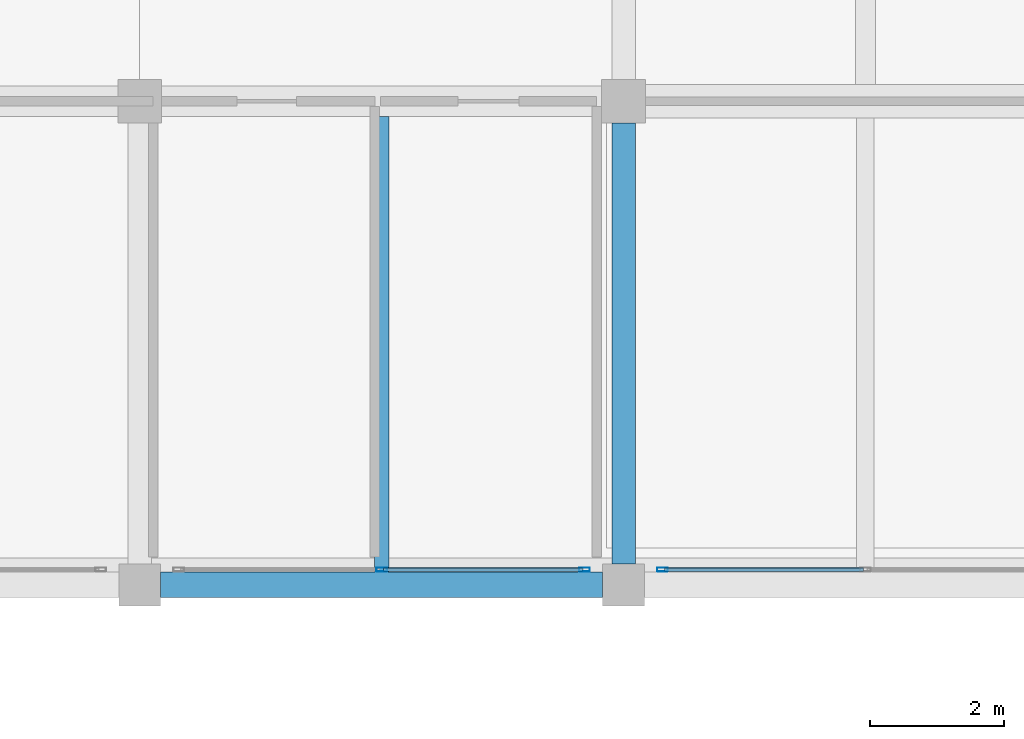
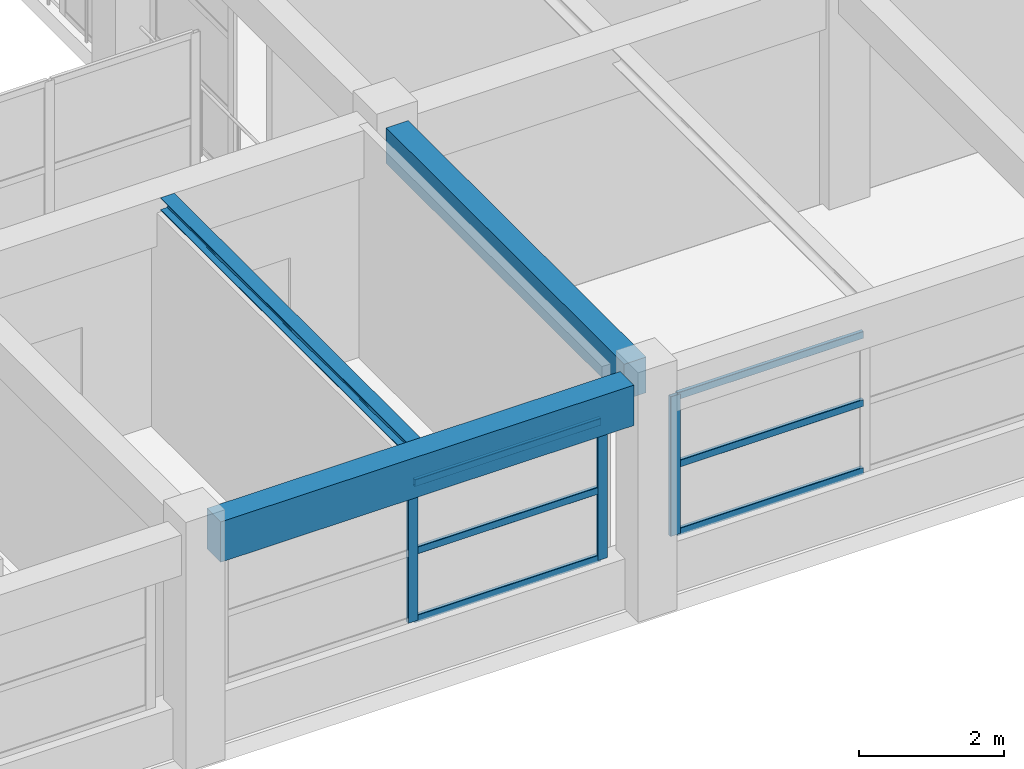
# One storey, part 23 of 67: 9 members, 3 beams, 2 elements without a shape of their own.
"""IFC4 building model written with IfcOpenShell, lengths in metres."""

from ifc_helpers import new_model, si_unit, direction, frame, origin, origin_2d, place, context, subcontext, project, spatial, rectangle, hollow_rectangle, i_section, extrude, material, material_profile, profile_set, type_object, element, aggregate, save


model = new_model("IFC4")

# Units and contexts
model_context = context("Model", 3, precision=1e-05, world=origin(), true_north=direction((0.0, 1.0)))
body_context = subcontext(model_context, "Body", "Model", "MODEL_VIEW")
ifc_project = project(units=[si_unit("LENGTHUNIT", "METRE"), si_unit("AREAUNIT", "SQUARE_METRE"), si_unit("VOLUMEUNIT", "CUBIC_METRE"), si_unit("PLANEANGLEUNIT", "RADIAN"), si_unit("MASSUNIT", "GRAM", prefix="KILO")], contexts=[model_context])

# Site, building, storey
site_placement = place(None, origin())
site = spatial("IfcSite", under=ifc_project, at=site_placement, CompositionType="ELEMENT")
building_placement = place(site_placement, origin())
building = spatial("IfcBuilding", under=site, at=building_placement, Name="Bramveld Media Centre", CompositionType="ELEMENT")
storey_placement = place(building_placement, frame((0.0, 0.0, 5.39990234375)))
storey = spatial("IfcBuildingStorey", under=building, at=storey_placement, Name="L01", CompositionType="ELEMENT", Elevation=5.39990234375)

# Beam
ifc_material_1 = material(Name="Concrete C40/50", Category="concrete")
ifc_material_profile_1 = material_profile(ifc_material_1, rectangle(XDim=0.35009765625, YDim=0.60009765625, at=origin_2d()), Name="RC 350x600")
ifc_profile_set_1 = profile_set([ifc_material_profile_1], Name="Concrete C40/50")
beam_type_1 = type_object("IfcBeamType", Name="BM-INT-RC-350x600", PredefinedType="BEAM", material=ifc_profile_set_1)
beam_1_placement = place(storey_placement, frame((94.39990234375, 90.7099609375, 3.6201171875), z_axis=(0.0, 1.0, 0.0), x_axis=(-1.0, 0.0, 0.0)))
element("IfcBeam", 1, at=beam_1_placement, inside=storey, type_object=beam_type_1, Name="V6 L01 girder Y-1034", PredefinedType="BEAM", context=body_context, shape_type="SweptSolid", body=[
    extrude(rectangle(XDim=0.35009765625, YDim=0.60009765625, at=origin_2d()), origin(), (0.0, 0.0, 1.0), 6.56494140625),
])

# Curtain wall, members
ifc_material_2 = material(Name="Thermally broken anodized bronze aluminium unitized curtain wall with solar-control triple glazing", Category="aluminium")
curtain_wall_type = type_object("IfcCurtainWallType", Name="CW-FACV6-6100x2350", PredefinedType="NOTDEFINED", material=ifc_material_2)
curtain_wall_1_placement = place(storey_placement, origin())
curtain_wall_1 = element("IfcCurtainWall", 2, at=curtain_wall_1_placement, inside=storey, type_object=curtain_wall_type, Name="V6 L01 S curtain wall bay 4", PredefinedType="NOTDEFINED")
ifc_material_3 = material(Name="Thermally broken anodized bronze aluminium EN AW-6063 T6 curtain-wall framing", Category="aluminium")
ifc_material_profile_2 = material_profile(ifc_material_3, hollow_rectangle(XDim=0.06005859375, YDim=0.159912109375, WallThickness=0.00390625, InnerFilletRadius=0.00390625, OuterFilletRadius=0.008056640625, at=origin_2d()), Name="AL-MULL 60x160")
ifc_profile_set_2 = profile_set([ifc_material_profile_2], Name="Thermally broken anodized bronze aluminium EN AW-6063 T6 curtain-wall framing")
member_type_1 = type_object("IfcMemberType", Name="CW-MULL-EXT", PredefinedType="MULLION", material=ifc_profile_set_2)
member_1_placement = place(storey_placement, frame((90.800048828125, 90.6298828125, 0.85009765625), z_axis=(0.0, 0.0, 1.0), x_axis=(0.0, 1.0, 0.0)))
member_1 = element("IfcMember", 3, at=member_1_placement, type_object=member_type_1, Name="CW-FA-6123 mullion 2", PredefinedType="MULLION", context=body_context, shape_type="SweptSolid", body=[
    extrude(hollow_rectangle(XDim=0.06005859375, YDim=0.159912109375, WallThickness=0.00390625, InnerFilletRadius=0.00390625, OuterFilletRadius=0.008056640625, at=origin_2d()), origin(), (0.0, 0.0, 1.0), 2.35009765625),
])
member_2_placement = place(storey_placement, frame((93.820068359375, 90.6298828125, 0.85009765625), z_axis=(0.0, 0.0, 1.0), x_axis=(0.0, 1.0, 0.0)))
member_2 = element("IfcMember", 4, at=member_2_placement, type_object=member_type_1, Name="CW-FA-6123 mullion 3", PredefinedType="MULLION", context=body_context, shape_type="SweptSolid", body=[
    extrude(hollow_rectangle(XDim=0.06005859375, YDim=0.159912109375, WallThickness=0.00390625, InnerFilletRadius=0.00390625, OuterFilletRadius=0.008056640625, at=origin_2d()), origin(), (0.0, 0.0, 1.0), 2.35009765625),
])

# Curtain wall, member
curtain_wall_2_placement = place(storey_placement, origin())
curtain_wall_2 = element("IfcCurtainWall", 5, at=curtain_wall_2_placement, inside=storey, type_object=curtain_wall_type, Name="V6 L01 S curtain wall bay 5", PredefinedType="NOTDEFINED")
member_3_placement = place(storey_placement, frame((94.97998046875, 90.6298828125, 0.85009765625), z_axis=(0.0, 0.0, 1.0), x_axis=(0.0, 1.0, 0.0)))
member_3 = element("IfcMember", 6, at=member_3_placement, type_object=member_type_1, Name="CW-FA-6123 mullion 1", PredefinedType="MULLION", context=body_context, shape_type="SweptSolid", body=[
    extrude(hollow_rectangle(XDim=0.06005859375, YDim=0.159912109375, WallThickness=0.00390625, InnerFilletRadius=0.00390625, OuterFilletRadius=0.008056640625, at=origin_2d()), origin(), (0.0, 0.0, 1.0), 2.35009765625),
])

# Member
ifc_material_4 = material(Name="Thermally broken anodized bronze aluminium EN AW-6063 T6 curtain-wall framing", Category="aluminium")
ifc_material_profile_3 = material_profile(ifc_material_4, hollow_rectangle(XDim=0.06005859375, YDim=0.1201171875, WallThickness=0.00341796875, InnerFilletRadius=0.00341796875, OuterFilletRadius=0.007080078125, at=origin_2d()), Name="AL-TRAN 60x120")
ifc_profile_set_3 = profile_set([ifc_material_profile_3], Name="Thermally broken anodized bronze aluminium EN AW-6063 T6 curtain-wall framing")
member_type_2 = type_object("IfcMemberType", Name="CW-TRAN-EXT", PredefinedType="USERDEFINED", material=ifc_profile_set_3)
member_4_placement = place(storey_placement, frame((90.830078125, 90.6298828125, 0.880126953125), z_axis=(1.0, 0.0, 0.0), x_axis=(0.0, 1.0, 0.0)))
member_4 = element("IfcMember", 7, at=member_4_placement, type_object=member_type_2, Name="CW-FA-6123 transom 2.1", ObjectType="TRANSOM", PredefinedType="USERDEFINED", context=body_context, shape_type="SweptSolid", body=[
    extrude(hollow_rectangle(XDim=0.06005859375, YDim=0.1201171875, WallThickness=0.00341796875, InnerFilletRadius=0.00341796875, OuterFilletRadius=0.007080078125, at=origin_2d()), origin(), (0.0, 0.0, 1.0), 2.9599609375),
])

member_5_placement = place(storey_placement, frame((90.830078125, 90.6298828125, 2.025146484375), z_axis=(1.0, 0.0, 0.0), x_axis=(0.0, 1.0, 0.0)))
member_5 = element("IfcMember", 8, at=member_5_placement, type_object=member_type_2, Name="CW-FA-6123 transom 2.2", ObjectType="TRANSOM", PredefinedType="USERDEFINED", context=body_context, shape_type="SweptSolid", body=[
    extrude(hollow_rectangle(XDim=0.06005859375, YDim=0.1201171875, WallThickness=0.00341796875, InnerFilletRadius=0.00341796875, OuterFilletRadius=0.007080078125, at=origin_2d()), origin(), (0.0, 0.0, 1.0), 2.9599609375),
])

member_6_placement = place(storey_placement, frame((90.830078125, 90.6298828125, 3.170166015625), z_axis=(1.0, 0.0, 0.0), x_axis=(0.0, 1.0, 0.0)))
member_6 = element("IfcMember", 9, at=member_6_placement, type_object=member_type_2, Name="CW-FA-6123 transom 2.3", ObjectType="TRANSOM", PredefinedType="USERDEFINED", context=body_context, shape_type="SweptSolid", body=[
    extrude(hollow_rectangle(XDim=0.06005859375, YDim=0.1201171875, WallThickness=0.00341796875, InnerFilletRadius=0.00341796875, OuterFilletRadius=0.007080078125, at=origin_2d()), origin(), (0.0, 0.0, 1.0), 2.9599609375),
])

aggregate(curtain_wall_1, [member_1, member_2, member_4, member_5, member_6])

member_7_placement = place(storey_placement, frame((95.010009765625, 90.6298828125, 0.880126953125), z_axis=(1.0, 0.0, 0.0), x_axis=(0.0, 1.0, 0.0)))
member_7 = element("IfcMember", 10, at=member_7_placement, type_object=member_type_2, Name="CW-FA-6123 transom 1.1", ObjectType="TRANSOM", PredefinedType="USERDEFINED", context=body_context, shape_type="SweptSolid", body=[
    extrude(hollow_rectangle(XDim=0.06005859375, YDim=0.1201171875, WallThickness=0.00341796875, InnerFilletRadius=0.00341796875, OuterFilletRadius=0.007080078125, at=origin_2d()), origin(), (0.0, 0.0, 1.0), 2.9599609375),
])

member_8_placement = place(storey_placement, frame((95.010009765625, 90.6298828125, 2.025146484375), z_axis=(1.0, 0.0, 0.0), x_axis=(0.0, 1.0, 0.0)))
member_8 = element("IfcMember", 11, at=member_8_placement, type_object=member_type_2, Name="CW-FA-6123 transom 1.2", ObjectType="TRANSOM", PredefinedType="USERDEFINED", context=body_context, shape_type="SweptSolid", body=[
    extrude(hollow_rectangle(XDim=0.06005859375, YDim=0.1201171875, WallThickness=0.00341796875, InnerFilletRadius=0.00341796875, OuterFilletRadius=0.007080078125, at=origin_2d()), origin(), (0.0, 0.0, 1.0), 2.9599609375),
])

member_9_placement = place(storey_placement, frame((95.010009765625, 90.6298828125, 3.170166015625), z_axis=(1.0, 0.0, 0.0), x_axis=(0.0, 1.0, 0.0)))
member_9 = element("IfcMember", 12, at=member_9_placement, type_object=member_type_2, Name="CW-FA-6123 transom 1.3", ObjectType="TRANSOM", PredefinedType="USERDEFINED", context=body_context, shape_type="SweptSolid", body=[
    extrude(hollow_rectangle(XDim=0.06005859375, YDim=0.1201171875, WallThickness=0.00341796875, InnerFilletRadius=0.00341796875, OuterFilletRadius=0.007080078125, at=origin_2d()), origin(), (0.0, 0.0, 1.0), 2.9599609375),
])

aggregate(curtain_wall_2, [member_3, member_7, member_8, member_9])

# Beams
ifc_material_5 = material(Name="Steel S355J2", Category="steel")
ifc_material_profile_4 = material_profile(ifc_material_5, i_section(OverallWidth=0.219970703125, OverallDepth=0.2099609375, WebThickness=0.007080078125, FlangeThickness=0.010986328125, FilletRadius=0.01806640625, at=origin_2d()), Name="HEA 220")
ifc_profile_set_4 = profile_set([ifc_material_profile_4], Name="Steel S355J2")
beam_type_2 = type_object("IfcBeamType", Name="SBM-INT-HEA-220", PredefinedType="BEAM", material=ifc_profile_set_4)
beam_2_placement = place(storey_placement, frame((90.800048828125, 90.590087890625, 3.815185546875), z_axis=(0.0, 1.0, 0.0), x_axis=(-1.0, 0.0, 0.0)))
element("IfcBeam", 13, at=beam_2_placement, inside=storey, type_object=beam_type_2, Name="V6 L01 secondary floor joist 1054", PredefinedType="BEAM", context=body_context, shape_type="SweptSolid", body=[
    extrude(i_section(OverallWidth=0.219970703125, OverallDepth=0.2099609375, WebThickness=0.007080078125, FlangeThickness=0.010986328125, FilletRadius=0.01806640625, at=origin_2d()), origin(), (0.0, 0.0, 1.0), 6.784912109375),
])
ifc_material_6 = material(Name="Concrete C40/50", Category="concrete")
ifc_material_profile_5 = material_profile(ifc_material_6, rectangle(XDim=0.3798828125, YDim=0.679931640625, at=origin_2d()), Name="RC 380x680")
ifc_profile_set_5 = profile_set([ifc_material_profile_5], Name="Concrete C40/50")
beam_type_3 = type_object("IfcBeamType", Name="SPANDREL-EXT-RC-380x680", PredefinedType="SPANDREL", material=ifc_profile_set_5)
beam_3_placement = place(storey_placement, frame((87.510009765625, 90.39990234375, 3.580078125), z_axis=(1.0, 0.0, 0.0), x_axis=(0.0, 1.0, 0.0)))
element("IfcBeam", 14, at=beam_3_placement, inside=storey, type_object=beam_type_3, Name="V6 L01 girder X-997", PredefinedType="SPANDREL", context=body_context, shape_type="SweptSolid", body=[
    extrude(rectangle(XDim=0.3798828125, YDim=0.679931640625, at=origin_2d()), origin(), (0.0, 0.0, 1.0), 6.580078125),
])

save(model, "model.ifc")
